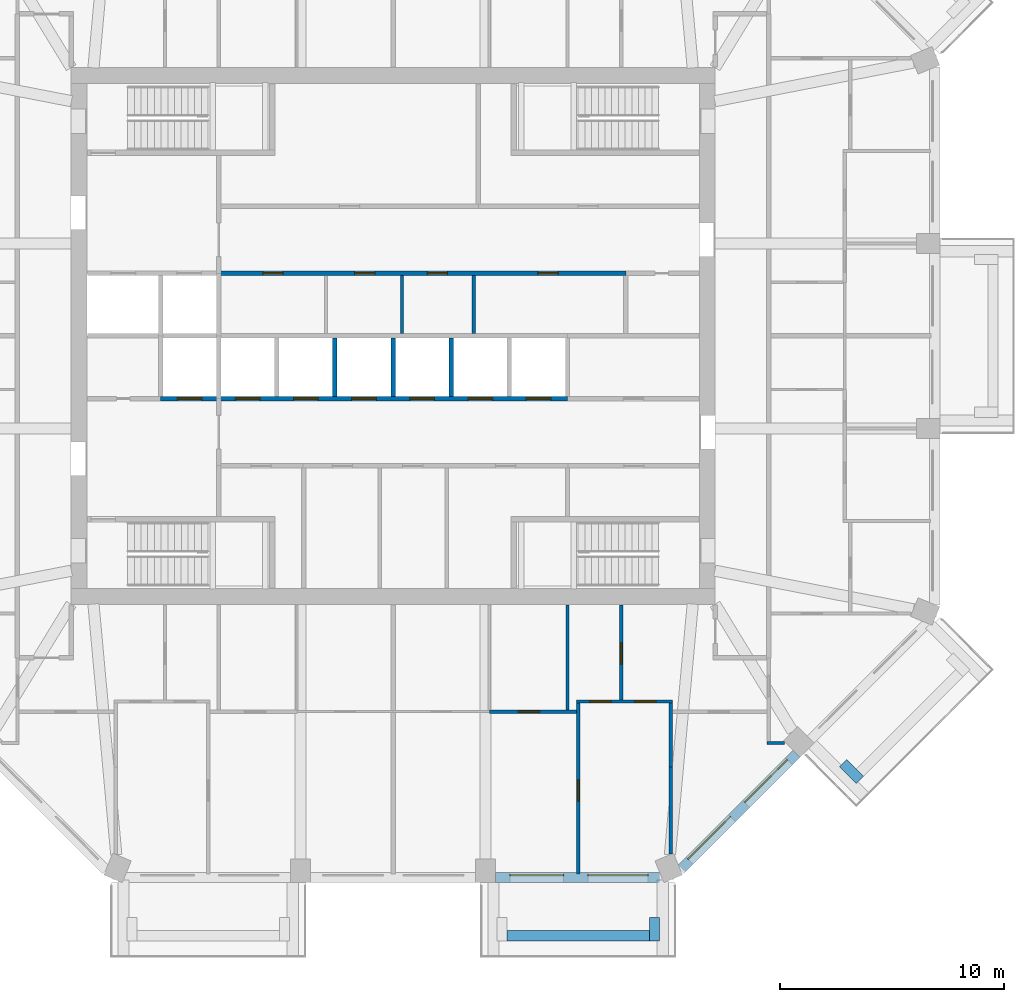
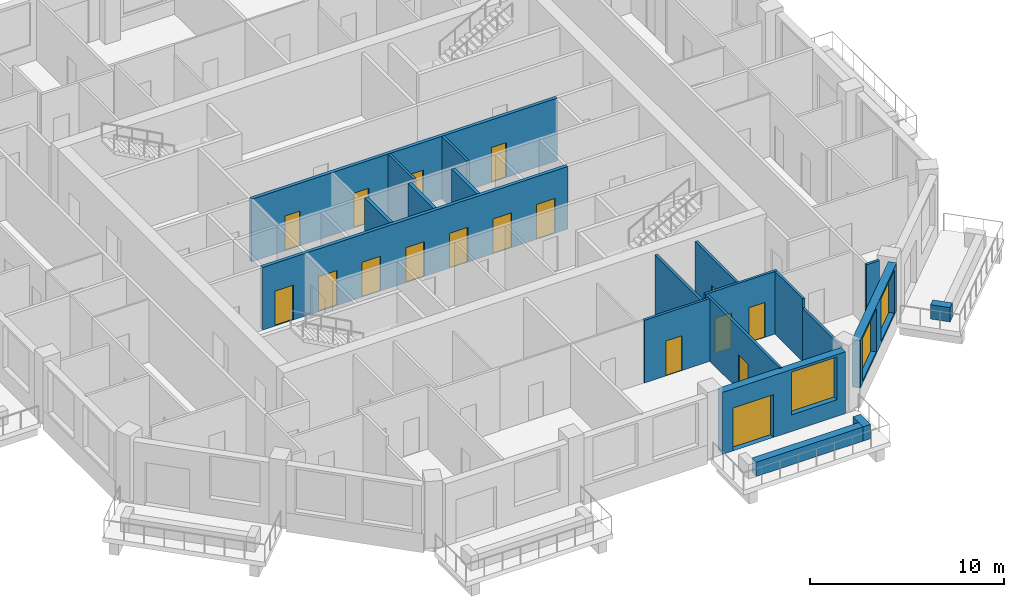
# One storey, part 5 of 12: 20 walls, 17 doors, 3 windows, 20 openings.
"""IFC4 building model written with IfcOpenShell, lengths in metres."""

from ifc_helpers import new_model, si_unit, direction, frame, frame_2d, origin, place, context, subcontext, project, spatial, rectangle, extrude, material, layer, layer_set, type_object, element, fill, save


model = new_model("IFC4")

# Units and contexts
model_context = context("Model", 3, precision=1e-05, world=origin(), true_north=direction((0.0, 1.0)))
body_context = subcontext(model_context, "Body", "Model", "MODEL_VIEW")
ifc_project = project(units=[si_unit("LENGTHUNIT", "METRE"), si_unit("AREAUNIT", "SQUARE_METRE"), si_unit("VOLUMEUNIT", "CUBIC_METRE"), si_unit("PLANEANGLEUNIT", "RADIAN"), si_unit("MASSUNIT", "GRAM", prefix="KILO")], contexts=[model_context])

# Site, building, storey
site_placement = place(None, origin())
site = spatial("IfcSite", under=ifc_project, at=site_placement, CompositionType="ELEMENT")
building_placement = place(site_placement, origin())
building = spatial("IfcBuilding", under=site, at=building_placement, Name="Msitu Wima Residences", CompositionType="ELEMENT")
storey_placement = place(building_placement, frame((0.0, 0.0, 174.89990234375)))
storey = spatial("IfcBuildingStorey", under=building, at=storey_placement, Name="L40", CompositionType="ELEMENT", Elevation=174.89990234375)

# Walls
ifc_material_1 = material(Name="Facing brick")
ifc_layer_1 = layer(ifc_material_1, 0.06494140625, Name="Facing brick")
ifc_material_2 = material(Name="Concrete C40/50", Category="concrete")
ifc_layer_2 = layer(ifc_material_2, 0.156005859375, Name="Concrete C40/50")
ifc_material_3 = material(Name="Waterproofing membrane")
ifc_layer_3 = layer(ifc_material_3, 0.00390625, Name="Waterproofing membrane")
ifc_material_4 = material(Name="Planting soil and planting")
ifc_layer_4 = layer(ifc_material_4, 0.22509765625, Name="Planting soil and planting")
ifc_layer_set_1 = layer_set([ifc_layer_1, ifc_layer_2, ifc_layer_3, ifc_layer_4], Name="Concrete C40/50")
wall_type_1 = type_object("IfcWallType", Name="Balcony planter PLANTER PL450", PredefinedType="USERDEFINED", material=ifc_layer_set_1)
wall_1_placement = place(storey_placement, frame((5.087158203125, -26.824951171875, 0.0), z_axis=(0.0, 0.0, 1.0), x_axis=(1.0, 0.0, 0.0)))
element("IfcWall", 1, at=wall_1_placement, inside=storey, type_object=wall_type_1, Name="Balcony planter S2 L40", ObjectType="PLANTER", PredefinedType="USERDEFINED", context=body_context, shape_type="SweptSolid", body=[
    extrude(rectangle(XDim=6.37451171875, YDim=0.449951171875, at=frame_2d((3.187255859375, 0.0))), origin(), (0.0, 0.0, 1.0), 0.900146484375),
])
for number, where, z_axis, x_axis, name in (
    (2, (11.686767578125, -26.0, 0.0), (0.0, 0.0, 1.0), (0.0, -1.0, 0.0), "Balcony planter S2 L40"),
    (3, (20.1328125, -19.107421875, 0.0), (0.0, 0.0, 1.0), (0.707106781187, -0.707106781187, 0.0), "Balcony planter SE1 L40"),
):
    element("IfcWall", number, at=place(storey_placement, frame(where, z_axis=z_axis, x_axis=x_axis)), inside=storey, type_object=wall_type_1, Name=name, ObjectType="PLANTER", PredefinedType="USERDEFINED", context=body_context, shape_type="SweptSolid", body=[
        extrude(rectangle(XDim=1.050048828125, YDim=0.449951171875, at=frame_2d((0.52490234375, 0.0))), origin(), (0.0, 0.0, 1.0), 0.900146484375),
    ])

# Wall, openings, door, window
ifc_material_5 = material(Name="Brick (red buff mix)", Category="masonry")
ifc_layer_5 = layer(ifc_material_5, 0.449951171875)
ifc_layer_set_2 = layer_set([ifc_layer_5], Name="Brick (red buff mix)")
wall_type_2 = type_object("IfcWallType", Name="Brick infill wall BW450", PredefinedType="SOLIDWALL", material=ifc_layer_set_2)
wall_2_placement = place(storey_placement, frame((4.587158203125, -24.22509765625, 0.0), z_axis=(0.0, 0.0, 1.0), x_axis=(1.0, 0.0, 0.0)))
wall_2 = element("IfcWall", 4, at=wall_2_placement, inside=storey, type_object=wall_type_2, Name="Brick infill wall L40 S2", PredefinedType="SOLIDWALL", context=body_context, shape_type="SweptSolid", body=[
    extrude(rectangle(XDim=7.337646484375, YDim=0.449951171875, at=frame_2d((3.6689453125, 0.0))), origin(), (0.0, 0.0, 1.0), 3.900146484375),
])
opening_1_placement = place(wall_2_placement, frame((0.63427734375, 0.0, 0.0)))
opening_1 = element("IfcOpeningElement", 5, at=opening_1_placement, cuts=wall_2, Name="Opening D40-42.007", PredefinedType="OPENING", context=body_context, shape_type="SweptSolid", body=[
    extrude(rectangle(XDim=2.39990234375, YDim=2.699951171875, at=frame_2d((1.199951171875, 1.35009765625))), frame((0.0, 0.23486328125, 0.0), z_axis=(0.0, -1.0, 0.0), x_axis=(1.0, 0.0, 0.0)), (0.0, 0.0, 1.0), 0.469970703125),
])
opening_2_placement = place(wall_2_placement, frame((4.11865234375, 0.0, 1.050048828125)))
opening_2 = element("IfcOpeningElement", 6, at=opening_2_placement, cuts=wall_2, Name="Opening W40-42.019", PredefinedType="OPENING", context=body_context, shape_type="SweptSolid", body=[
    extrude(rectangle(XDim=2.699951171875, YDim=2.699951171875, at=frame_2d((1.35009765625, 1.35009765625))), frame((0.0, 0.23486328125, 0.0), z_axis=(0.0, -1.0, 0.0), x_axis=(1.0, 0.0, 0.0)), (0.0, 0.0, 1.0), 0.469970703125),
])
ifc_material_6 = material(Name="Anodised aluminium, bronze finish, clear low-emissivity double glazing", Category="aluminium")
door_type_1 = type_object("IfcDoorType", Name="Balcony door D2400x2700", OperationType="SLIDING_TO_LEFT", PredefinedType="DOOR", material=ifc_material_6)
door_1_placement = place(opening_1_placement, origin())
door_1 = element("IfcDoor", 7, at=door_1_placement, inside=storey, type_object=door_type_1, Name="Balcony door L40 S2", OperationType="SINGLE_SWING_LEFT", OverallHeight=2.699951171875, OverallWidth=2.39990234375, PredefinedType="DOOR", context=body_context, shape_type="SweptSolid", body=[
    extrude(rectangle(XDim=2.39990234375, YDim=2.699951171875, at=frame_2d((1.199951171875, 1.35009765625))), frame((0.0, 0.1298828125, 0.0), z_axis=(0.0, -1.0, 0.0), x_axis=(1.0, 0.0, 0.0)), (0.0, 0.0, 1.0), 0.050048828125),
])
fill(opening_1, door_1)
window_type = type_object("IfcWindowType", Name="Window W2700x2700", PartitioningType="DOUBLE_PANEL_VERTICAL", PredefinedType="WINDOW", material=ifc_material_6)
window_1_placement = place(opening_2_placement, origin())
window_1 = element("IfcWindow", 8, at=window_1_placement, inside=storey, type_object=window_type, Name="Window L40 S2.2", OverallHeight=2.699951171875, OverallWidth=2.699951171875, PartitioningType="SINGLE_PANEL", PredefinedType="WINDOW", context=body_context, shape_type="SweptSolid", body=[
    extrude(rectangle(XDim=2.699951171875, YDim=2.699951171875, at=frame_2d((1.35009765625, 1.35009765625))), frame((0.0, 0.135009765625, 0.0), z_axis=(0.0, -1.0, 0.0), x_axis=(1.0, 0.0, 0.0)), (0.0, 0.0, 1.0), 0.06005859375),
])
fill(opening_2, window_1)

# Wall, openings, windows
wall_3_placement = place(storey_placement, frame((12.915283203125, -23.814697265625, 0.900146484375), z_axis=(0.0, 0.0, 1.0), x_axis=(0.707106781187, 0.707106781187, 0.0)))
wall_3 = element("IfcWall", 9, at=wall_3_placement, inside=storey, type_object=wall_type_2, Name="Brick infill wall L40 SE0", PredefinedType="SOLIDWALL", context=body_context, shape_type="SweptSolid", body=[
    extrude(rectangle(XDim=7.257080078125, YDim=0.449951171875, at=frame_2d((3.62841796875, 0.0))), origin(), (0.0, 0.0, 1.0), 3.0),
])
opening_3_placement = place(wall_3_placement, frame((0.478515625, 0.0, 0.14990234375)))
opening_3 = element("IfcOpeningElement", 10, at=opening_3_placement, cuts=wall_3, Name="Opening W40-42.020", PredefinedType="OPENING", context=body_context, shape_type="SweptSolid", body=[
    extrude(rectangle(XDim=2.699951171875, YDim=2.699951171875, at=frame_2d((1.35009765625, 1.35009765625))), frame((0.0, 0.23486328125, 0.0), z_axis=(0.0, -1.0, 0.0), x_axis=(1.0, 0.0, 0.0)), (0.0, 0.0, 1.0), 0.469970703125),
])
opening_4_placement = place(wall_3_placement, frame((4.07861328125, 0.0, 0.14990234375)))
opening_4 = element("IfcOpeningElement", 11, at=opening_4_placement, cuts=wall_3, Name="Opening W40-42.021", PredefinedType="OPENING", context=body_context, shape_type="SweptSolid", body=[
    extrude(rectangle(XDim=2.699951171875, YDim=2.699951171875, at=frame_2d((1.35009765625, 1.35009765625))), frame((0.0, 0.23486328125, 0.0), z_axis=(0.0, -1.0, 0.0), x_axis=(1.0, 0.0, 0.0)), (0.0, 0.0, 1.0), 0.469970703125),
])
window_2_placement = place(opening_3_placement, origin())
window_2 = element("IfcWindow", 12, at=window_2_placement, inside=storey, type_object=window_type, Name="Window L40 SE0.1", OverallHeight=2.699951171875, OverallWidth=2.699951171875, PartitioningType="SINGLE_PANEL", PredefinedType="WINDOW", context=body_context, shape_type="SweptSolid", body=[
    extrude(rectangle(XDim=2.699951171875, YDim=2.699951171875, at=frame_2d((1.35009765625, 1.35009765625))), frame((0.0, 0.135009765625, 0.0), z_axis=(0.0, -1.0, 0.0), x_axis=(1.0, 0.0, 0.0)), (0.0, 0.0, 1.0), 0.06005859375),
])
fill(opening_3, window_2)
window_3_placement = place(opening_4_placement, origin())
window_3 = element("IfcWindow", 13, at=window_3_placement, inside=storey, type_object=window_type, Name="Window L40 SE0.2", OverallHeight=2.699951171875, OverallWidth=2.699951171875, PartitioningType="SINGLE_PANEL", PredefinedType="WINDOW", context=body_context, shape_type="SweptSolid", body=[
    extrude(rectangle(XDim=2.699951171875, YDim=2.699951171875, at=frame_2d((1.35009765625, 1.35009765625))), frame((0.0, 0.135009765625, 0.0), z_axis=(0.0, -1.0, 0.0), x_axis=(1.0, 0.0, 0.0)), (0.0, 0.0, 1.0), 0.06005859375),
])
fill(opening_4, window_3)

# Wall, openings, doors
ifc_material_7 = material(Name="Plaster")
ifc_layer_6 = layer(ifc_material_7, 0.011962890625, Name="Plaster")
ifc_material_8 = material(Name="Concrete blockwork", Category="masonry")
ifc_layer_7 = layer(ifc_material_8, 0.176025390625, Name="Concrete blockwork")
ifc_layer_8 = layer(ifc_material_7, 0.011962890625, Name="Plaster")
ifc_layer_set_3 = layer_set([ifc_layer_6, ifc_layer_7, ifc_layer_8], Name="Concrete blockwork")
wall_type_3 = type_object("IfcWallType", Name="Corridor wall FW200", PredefinedType="PARTITIONING", material=ifc_layer_set_3)
wall_4_placement = place(storey_placement, frame((-7.820068359375, 2.800048828125, 0.0), z_axis=(0.0, 0.0, 1.0), x_axis=(1.0, 0.0, 0.0)))
wall_4 = element("IfcWall", 14, at=wall_4_placement, inside=storey, type_object=wall_type_3, Name="Corridor wall", PredefinedType="PARTITIONING", context=body_context, shape_type="SweptSolid", body=[
    extrude(rectangle(XDim=18.239990234375, YDim=0.199951171875, at=frame_2d((9.1201171875, 0.0))), origin(), (0.0, 0.0, 1.0), 3.9501953125),
])
opening_5_placement = place(wall_4_placement, frame((2.0, 0.0, 0.0)))
opening_5 = element("IfcOpeningElement", 15, at=opening_5_placement, cuts=wall_4, Name="Opening D40-42.081", PredefinedType="OPENING", context=body_context, shape_type="SweptSolid", body=[
    extrude(rectangle(XDim=0.89990234375, YDim=2.199951171875, at=frame_2d((0.449951171875, 1.10009765625))), frame((0.0, 0.10986328125, 0.0), z_axis=(0.0, -1.0, 0.0), x_axis=(1.0, 0.0, 0.0)), (0.0, 0.0, 1.0), 0.219970703125),
])
opening_6_placement = place(wall_4_placement, frame((6.10009765625, 0.0, 0.0)))
opening_6 = element("IfcOpeningElement", 16, at=opening_6_placement, cuts=wall_4, Name="Opening D40-42.082", PredefinedType="OPENING", context=body_context, shape_type="SweptSolid", body=[
    extrude(rectangle(XDim=0.89990234375, YDim=2.199951171875, at=frame_2d((0.449951171875, 1.10009765625))), frame((0.0, 0.10986328125, 0.0), z_axis=(0.0, -1.0, 0.0), x_axis=(1.0, 0.0, 0.0)), (0.0, 0.0, 1.0), 0.219970703125),
])
opening_7_placement = place(wall_4_placement, frame((9.35009765625, 0.0, 0.0)))
opening_7 = element("IfcOpeningElement", 17, at=opening_7_placement, cuts=wall_4, Name="Opening D40-42.083", PredefinedType="OPENING", context=body_context, shape_type="SweptSolid", body=[
    extrude(rectangle(XDim=0.89990234375, YDim=2.199951171875, at=frame_2d((0.449951171875, 1.10009765625))), frame((0.0, 0.10986328125, 0.0), z_axis=(0.0, -1.0, 0.0), x_axis=(1.0, 0.0, 0.0)), (0.0, 0.0, 1.0), 0.219970703125),
])
opening_8_placement = place(wall_4_placement, frame((14.300048828125, 0.0, 0.0)))
opening_8 = element("IfcOpeningElement", 18, at=opening_8_placement, cuts=wall_4, Name="Opening D40-42.084", PredefinedType="OPENING", context=body_context, shape_type="SweptSolid", body=[
    extrude(rectangle(XDim=0.89990234375, YDim=2.199951171875, at=frame_2d((0.449951171875, 1.10009765625))), frame((0.0, 0.10986328125, 0.0), z_axis=(0.0, -1.0, 0.0), x_axis=(1.0, 0.0, 0.0)), (0.0, 0.0, 1.0), 0.219970703125),
])
ifc_material_9 = material(Name="Timber flush door", Category="wood")
door_type_2 = type_object("IfcDoorType", Name="Service door D05 900x2200", OperationType="SINGLE_SWING_LEFT", PredefinedType="DOOR", material=ifc_material_9)
door_2_placement = place(opening_5_placement, origin())
door_2 = element("IfcDoor", 19, at=door_2_placement, inside=storey, type_object=door_type_2, Name="Service door", OperationType="SINGLE_SWING_LEFT", OverallHeight=2.199951171875, OverallWidth=0.89990234375, PredefinedType="DOOR", context=body_context, shape_type="SweptSolid", body=[
    extrude(rectangle(XDim=0.89990234375, YDim=2.199951171875, at=frame_2d((0.449951171875, 1.10009765625))), frame((0.0, 0.02490234375, 0.0), z_axis=(0.0, -1.0, 0.0), x_axis=(1.0, 0.0, 0.0)), (0.0, 0.0, 1.0), 0.050048828125),
])
fill(opening_5, door_2)
door_3_placement = place(opening_6_placement, origin())
door_3 = element("IfcDoor", 20, at=door_3_placement, inside=storey, type_object=door_type_2, Name="Service door", OperationType="SINGLE_SWING_LEFT", OverallHeight=2.199951171875, OverallWidth=0.89990234375, PredefinedType="DOOR", context=body_context, shape_type="SweptSolid", body=[
    extrude(rectangle(XDim=0.89990234375, YDim=2.199951171875, at=frame_2d((0.449951171875, 1.10009765625))), frame((0.0, 0.02490234375, 0.0), z_axis=(0.0, -1.0, 0.0), x_axis=(1.0, 0.0, 0.0)), (0.0, 0.0, 1.0), 0.050048828125),
])
fill(opening_6, door_3)
door_4_placement = place(opening_7_placement, origin())
door_4 = element("IfcDoor", 21, at=door_4_placement, inside=storey, type_object=door_type_2, Name="Service door", OperationType="SINGLE_SWING_RIGHT", OverallHeight=2.199951171875, OverallWidth=0.89990234375, PredefinedType="DOOR", context=body_context, shape_type="SweptSolid", body=[
    extrude(rectangle(XDim=0.89990234375, YDim=2.199951171875, at=frame_2d((0.449951171875, 1.10009765625))), frame((0.0, 0.02490234375, 0.0), z_axis=(0.0, -1.0, 0.0), x_axis=(1.0, 0.0, 0.0)), (0.0, 0.0, 1.0), 0.050048828125),
])
fill(opening_7, door_4)
door_5_placement = place(opening_8_placement, origin())
door_5 = element("IfcDoor", 22, at=door_5_placement, inside=storey, type_object=door_type_2, Name="Service door", OperationType="SINGLE_SWING_RIGHT", OverallHeight=2.199951171875, OverallWidth=0.89990234375, PredefinedType="DOOR", context=body_context, shape_type="SweptSolid", body=[
    extrude(rectangle(XDim=0.89990234375, YDim=2.199951171875, at=frame_2d((0.449951171875, 1.10009765625))), frame((0.0, 0.02490234375, 0.0), z_axis=(0.0, -1.0, 0.0), x_axis=(1.0, 0.0, 0.0)), (0.0, 0.0, 1.0), 0.050048828125),
])
fill(opening_8, door_5)

# Walls
ifc_layer_9 = layer(ifc_material_7, 0.011962890625, Name="Plaster")
ifc_layer_10 = layer(ifc_material_8, 0.1259765625, Name="Concrete blockwork")
ifc_layer_11 = layer(ifc_material_7, 0.011962890625, Name="Plaster")
ifc_layer_set_4 = layer_set([ifc_layer_9, ifc_layer_10, ifc_layer_11], Name="Concrete blockwork")
wall_type_4 = type_object("IfcWallType", Name="Partition PW150", PredefinedType="PARTITIONING", material=ifc_layer_set_4)
for number, where, z_axis, x_axis, name in (
    (23, (0.39990234375, 0.10009765625, 0.0), (0.0, 0.0, 1.0), (0.0, 1.0, 0.0), "Partition"),
    (24, (3.60009765625, 0.10009765625, 0.0), (0.0, 0.0, 1.0), (0.0, 1.0, 0.0), "Partition"),
):
    element("IfcWall", number, at=place(storey_placement, frame(where, z_axis=z_axis, x_axis=x_axis)), inside=storey, type_object=wall_type_4, Name=name, PredefinedType="PARTITIONING", context=body_context, shape_type="SweptSolid", body=[
        extrude(rectangle(XDim=2.599853515625, YDim=0.14990234375, at=frame_2d((1.2998046875, 0.0))), origin(), (0.0, 0.0, 1.0), 3.9501953125),
    ])

# Wall, opening, door
wall_5_placement = place(storey_placement, frame((4.300048828125, -16.800048828125, 0.0), z_axis=(0.0, 0.0, 1.0), x_axis=(1.0, 0.0, 0.0)))
wall_5 = element("IfcWall", 25, at=wall_5_placement, inside=storey, type_object=wall_type_4, Name="Partition", PredefinedType="PARTITIONING", context=body_context, shape_type="SweptSolid", body=[
    extrude(rectangle(XDim=3.8994140625, YDim=0.14990234375, at=frame_2d((1.94970703125, 0.0))), origin(), (0.0, 0.0, 1.0), 3.9501953125),
])
opening_9_placement = place(wall_5_placement, frame((1.300048828125, 0.0, 0.0)))
opening_9 = element("IfcOpeningElement", 26, at=opening_9_placement, cuts=wall_5, Name="Opening D40-42.056", PredefinedType="OPENING", context=body_context, shape_type="SweptSolid", body=[
    extrude(rectangle(XDim=0.949951171875, YDim=2.199951171875, at=frame_2d((0.47509765625, 1.10009765625))), frame((0.0, 0.0849609375, 0.0), z_axis=(0.0, -1.0, 0.0), x_axis=(1.0, 0.0, 0.0)), (0.0, 0.0, 1.0), 0.169921875),
])
door_type_3 = type_object("IfcDoorType", Name="Room door D12 950x2200", OperationType="SINGLE_SWING_LEFT", PredefinedType="DOOR", material=ifc_material_9)
door_6_placement = place(opening_9_placement, origin())
door_6 = element("IfcDoor", 27, at=door_6_placement, inside=storey, type_object=door_type_3, Name="Room door", OperationType="SINGLE_SWING_LEFT", OverallHeight=2.199951171875, OverallWidth=0.949951171875, PredefinedType="DOOR", context=body_context, shape_type="SweptSolid", body=[
    extrude(rectangle(XDim=0.949951171875, YDim=2.199951171875, at=frame_2d((0.47509765625, 1.10009765625))), frame((0.0, 0.02490234375, 0.0), z_axis=(0.0, -1.0, 0.0), x_axis=(1.0, 0.0, 0.0)), (0.0, 0.0, 1.0), 0.050048828125),
])
fill(opening_9, door_6)

# Wall
wall_6_placement = place(storey_placement, frame((7.800048828125, -16.72509765625, 0.0), z_axis=(0.0, 0.0, 1.0), x_axis=(0.0, 1.0, 0.0)))
element("IfcWall", 28, at=wall_6_placement, inside=storey, type_object=wall_type_4, Name="Partition", PredefinedType="PARTITIONING", context=body_context, shape_type="SweptSolid", body=[
    extrude(rectangle(XDim=4.695068359375, YDim=0.14990234375, at=frame_2d((2.34765625, 0.0))), origin(), (0.0, 0.0, 1.0), 3.9501953125),
])

# Wall, opening, door
wall_7_placement = place(storey_placement, frame((8.2744140625, -24.054931640625, 0.0), z_axis=(0.0, 0.0, 1.0), x_axis=(0.0, 1.0, 0.0)))
wall_7 = element("IfcWall", 29, at=wall_7_placement, inside=storey, type_object=wall_type_4, Name="Partition", PredefinedType="PARTITIONING", context=body_context, shape_type="SweptSolid", body=[
    extrude(rectangle(XDim=7.6298828125, YDim=0.14990234375, at=frame_2d((3.81494140625, 0.0))), origin(), (0.0, 0.0, 1.0), 3.9501953125),
])
opening_10_placement = place(wall_7_placement, frame((3.25, 0.0, 0.0)))
opening_10 = element("IfcOpeningElement", 30, at=opening_10_placement, cuts=wall_7, Name="Opening D40-42.062", PredefinedType="OPENING", context=body_context, shape_type="SweptSolid", body=[
    extrude(rectangle(XDim=0.949951171875, YDim=2.199951171875, at=frame_2d((0.47509765625, 1.10009765625))), frame((0.0, 0.0849609375, 0.0), z_axis=(0.0, -1.0, 0.0), x_axis=(1.0, 0.0, 0.0)), (0.0, 0.0, 1.0), 0.169921875),
])
door_7_placement = place(opening_10_placement, origin())
door_7 = element("IfcDoor", 31, at=door_7_placement, inside=storey, type_object=door_type_3, Name="Room door", OperationType="SINGLE_SWING_RIGHT", OverallHeight=2.199951171875, OverallWidth=0.949951171875, PredefinedType="DOOR", context=body_context, shape_type="SweptSolid", body=[
    extrude(rectangle(XDim=0.949951171875, YDim=2.199951171875, at=frame_2d((0.47509765625, 1.10009765625))), frame((0.0, 0.02490234375, 0.0), z_axis=(0.0, -1.0, 0.0), x_axis=(1.0, 0.0, 0.0)), (0.0, 0.0, 1.0), 0.050048828125),
])
fill(opening_10, door_7)

# Wall, openings, doors
wall_8_placement = place(storey_placement, frame((8.199462890625, -16.35009765625, 0.0), z_axis=(0.0, 0.0, 1.0), x_axis=(1.0, 0.0, 0.0)))
wall_8 = element("IfcWall", 32, at=wall_8_placement, inside=storey, type_object=wall_type_4, Name="Partition", PredefinedType="PARTITIONING", context=body_context, shape_type="SweptSolid", body=[
    extrude(rectangle(XDim=4.287353515625, YDim=0.14990234375, at=frame_2d((2.1435546875, 0.0))), origin(), (0.0, 0.0, 1.0), 3.9501953125),
])
opening_11_placement = place(wall_8_placement, frame((2.60009765625, 0.0, 0.0)))
opening_11 = element("IfcOpeningElement", 33, at=opening_11_placement, cuts=wall_8, Name="Opening D40-42.059", PredefinedType="OPENING", context=body_context, shape_type="SweptSolid", body=[
    extrude(rectangle(XDim=0.949951171875, YDim=2.199951171875, at=frame_2d((0.47509765625, 1.10009765625))), frame((0.0, 0.0849609375, 0.0), z_axis=(0.0, -1.0, 0.0), x_axis=(1.0, 0.0, 0.0)), (0.0, 0.0, 1.0), 0.169921875),
])
opening_12_placement = place(wall_8_placement, frame((0.60009765625, 0.0, 0.0)))
opening_12 = element("IfcOpeningElement", 34, at=opening_12_placement, cuts=wall_8, Name="Opening D40-42.058", PredefinedType="OPENING", context=body_context, shape_type="SweptSolid", body=[
    extrude(rectangle(XDim=0.949951171875, YDim=2.199951171875, at=frame_2d((0.47509765625, 1.10009765625))), frame((0.0, 0.0849609375, 0.0), z_axis=(0.0, -1.0, 0.0), x_axis=(1.0, 0.0, 0.0)), (0.0, 0.0, 1.0), 0.169921875),
])
door_8_placement = place(opening_11_placement, origin())
door_8 = element("IfcDoor", 35, at=door_8_placement, inside=storey, type_object=door_type_3, Name="Room door", OperationType="SINGLE_SWING_LEFT", OverallHeight=2.199951171875, OverallWidth=0.949951171875, PredefinedType="DOOR", context=body_context, shape_type="SweptSolid", body=[
    extrude(rectangle(XDim=0.949951171875, YDim=2.199951171875, at=frame_2d((0.47509765625, 1.10009765625))), frame((0.0, 0.02490234375, 0.0), z_axis=(0.0, -1.0, 0.0), x_axis=(1.0, 0.0, 0.0)), (0.0, 0.0, 1.0), 0.050048828125),
])
fill(opening_11, door_8)
door_9_placement = place(opening_12_placement, origin())
door_9 = element("IfcDoor", 36, at=door_9_placement, inside=storey, type_object=door_type_3, Name="Room door", OperationType="SINGLE_SWING_RIGHT", OverallHeight=2.199951171875, OverallWidth=0.949951171875, PredefinedType="DOOR", context=body_context, shape_type="SweptSolid", body=[
    extrude(rectangle(XDim=0.949951171875, YDim=2.199951171875, at=frame_2d((0.47509765625, 1.10009765625))), frame((0.0, 0.02490234375, 0.0), z_axis=(0.0, -1.0, 0.0), x_axis=(1.0, 0.0, 0.0)), (0.0, 0.0, 1.0), 0.050048828125),
])
fill(opening_12, door_9)

# Wall, opening, door
wall_9_placement = place(storey_placement, frame((10.199951171875, -16.27490234375, 0.0), z_axis=(0.0, 0.0, 1.0), x_axis=(0.0, 1.0, 0.0)))
wall_9 = element("IfcWall", 37, at=wall_9_placement, inside=storey, type_object=wall_type_4, Name="Partition", PredefinedType="PARTITIONING", context=body_context, shape_type="SweptSolid", body=[
    extrude(rectangle(XDim=4.244873046875, YDim=0.14990234375, at=frame_2d((2.12255859375, 0.0))), origin(), (0.0, 0.0, 1.0), 3.9501953125),
])
opening_13_placement = place(wall_9_placement, frame((1.60009765625, 0.0, 0.0)))
opening_13 = element("IfcOpeningElement", 38, at=opening_13_placement, cuts=wall_9, Name="Opening D40-42.054", PredefinedType="OPENING", context=body_context, shape_type="SweptSolid", body=[
    extrude(rectangle(XDim=0.949951171875, YDim=2.199951171875, at=frame_2d((0.47509765625, 1.10009765625))), frame((0.0, 0.0849609375, 0.0), z_axis=(0.0, -1.0, 0.0), x_axis=(1.0, 0.0, 0.0)), (0.0, 0.0, 1.0), 0.169921875),
])
door_10_placement = place(opening_13_placement, origin())
door_10 = element("IfcDoor", 39, at=door_10_placement, inside=storey, type_object=door_type_3, Name="Room door", OperationType="SINGLE_SWING_LEFT", OverallHeight=2.199951171875, OverallWidth=0.949951171875, PredefinedType="DOOR", context=body_context, shape_type="SweptSolid", body=[
    extrude(rectangle(XDim=0.949951171875, YDim=2.199951171875, at=frame_2d((0.47509765625, 1.10009765625))), frame((0.0, 0.02490234375, 0.0), z_axis=(0.0, -1.0, 0.0), x_axis=(1.0, 0.0, 0.0)), (0.0, 0.0, 1.0), 0.050048828125),
])
fill(opening_13, door_10)

# Walls
wall_10_placement = place(storey_placement, frame((12.411865234375, -23.1689453125, 0.0), z_axis=(0.0, 0.0, 1.0), x_axis=(0.0, 1.0, 0.0)))
element("IfcWall", 40, at=wall_10_placement, inside=storey, type_object=wall_type_4, Name="Partition", PredefinedType="PARTITIONING", context=body_context, shape_type="SweptSolid", body=[
    extrude(rectangle(XDim=3.8984375, YDim=0.14990234375, at=frame_2d((1.94921875, 0.0))), origin(), (0.0, 0.0, 1.0), 3.35009765625),
])
wall_11_placement = place(storey_placement, frame((12.411865234375, -19.2705078125, 0.0), z_axis=(0.0, 0.0, 1.0), x_axis=(0.0, 1.0, 0.0)))
element("IfcWall", 41, at=wall_11_placement, inside=storey, type_object=wall_type_4, Name="Partition", PredefinedType="PARTITIONING", context=body_context, shape_type="SweptSolid", body=[
    extrude(rectangle(XDim=2.845458984375, YDim=0.14990234375, at=frame_2d((1.4228515625, 0.0))), origin(), (0.0, 0.0, 1.0), 3.9501953125),
])
wall_12_placement = place(storey_placement, frame((16.72509765625, -18.205810546875, 0.0), z_axis=(0.0, 0.0, 1.0), x_axis=(1.0, 0.0, 0.0)))
element("IfcWall", 42, at=wall_12_placement, inside=storey, type_object=wall_type_4, Name="Partition", PredefinedType="PARTITIONING", context=body_context, shape_type="SweptSolid", body=[
    extrude(rectangle(XDim=0.784423828125, YDim=0.14990234375, at=frame_2d((0.39208984375, 0.0))), origin(), (0.0, 0.0, 1.0), 3.9501953125),
])

# Wall, openings, doors
ifc_material_10 = material(Name="Fire-rated board")
ifc_layer_12 = layer(ifc_material_10, 0.02490234375, Name="Fire-rated board")
ifc_material_11 = material(Name="Light-gauge stud framing with mineral wool")
ifc_layer_13 = layer(ifc_material_11, 0.14990234375, Name="Light-gauge stud framing with mineral wool")
ifc_layer_14 = layer(ifc_material_10, 0.02490234375, Name="Fire-rated board")
ifc_layer_set_5 = layer_set([ifc_layer_12, ifc_layer_13, ifc_layer_14], Name="Light-gauge stud framing with mineral wool")
wall_type_5 = type_object("IfcWallType", Name="Shaft wall SH200", PredefinedType="PARTITIONING", material=ifc_layer_set_5)
wall_13_placement = place(storey_placement, frame((-10.39990234375, -2.800048828125, 0.0), z_axis=(0.0, 0.0, 1.0), x_axis=(1.0, 0.0, 0.0)))
wall_13 = element("IfcWall", 43, at=wall_13_placement, inside=storey, type_object=wall_type_5, Name="Shaft wall", PredefinedType="PARTITIONING", context=body_context, shape_type="SweptSolid", body=[
    extrude(rectangle(XDim=18.199951171875, YDim=0.199951171875, at=frame_2d((9.10009765625, 0.0))), origin(), (0.0, 0.0, 1.0), 3.9501953125),
])
opening_14_placement = place(wall_13_placement, frame((0.75, 0.0, 0.0)))
opening_14 = element("IfcOpeningElement", 44, at=opening_14_placement, cuts=wall_13, Name="Opening LD", PredefinedType="OPENING", context=body_context, shape_type="SweptSolid", body=[
    extrude(rectangle(XDim=1.10009765625, YDim=2.199951171875, at=frame_2d((0.550048828125, 1.10009765625))), frame((0.0, 0.10986328125, 0.0), z_axis=(0.0, -1.0, 0.0), x_axis=(1.0, 0.0, 0.0)), (0.0, 0.0, 1.0), 0.219970703125),
])
opening_15_placement = place(wall_13_placement, frame((3.35009765625, 0.0, 0.0)))
opening_15 = element("IfcOpeningElement", 45, at=opening_15_placement, cuts=wall_13, Name="Opening LD", PredefinedType="OPENING", context=body_context, shape_type="SweptSolid", body=[
    extrude(rectangle(XDim=1.10009765625, YDim=2.199951171875, at=frame_2d((0.550048828125, 1.10009765625))), frame((0.0, 0.10986328125, 0.0), z_axis=(0.0, -1.0, 0.0), x_axis=(1.0, 0.0, 0.0)), (0.0, 0.0, 1.0), 0.219970703125),
])
opening_16_placement = place(wall_13_placement, frame((5.949951171875, 0.0, 0.0)))
opening_16 = element("IfcOpeningElement", 46, at=opening_16_placement, cuts=wall_13, Name="Opening LD", PredefinedType="OPENING", context=body_context, shape_type="SweptSolid", body=[
    extrude(rectangle(XDim=1.10009765625, YDim=2.199951171875, at=frame_2d((0.550048828125, 1.10009765625))), frame((0.0, 0.10986328125, 0.0), z_axis=(0.0, -1.0, 0.0), x_axis=(1.0, 0.0, 0.0)), (0.0, 0.0, 1.0), 0.219970703125),
])
opening_17_placement = place(wall_13_placement, frame((8.550048828125, 0.0, 0.0)))
opening_17 = element("IfcOpeningElement", 47, at=opening_17_placement, cuts=wall_13, Name="Opening LD", PredefinedType="OPENING", context=body_context, shape_type="SweptSolid", body=[
    extrude(rectangle(XDim=1.10009765625, YDim=2.199951171875, at=frame_2d((0.550048828125, 1.10009765625))), frame((0.0, 0.10986328125, 0.0), z_axis=(0.0, -1.0, 0.0), x_axis=(1.0, 0.0, 0.0)), (0.0, 0.0, 1.0), 0.219970703125),
])
opening_18_placement = place(wall_13_placement, frame((11.14990234375, 0.0, 0.0)))
opening_18 = element("IfcOpeningElement", 48, at=opening_18_placement, cuts=wall_13, Name="Opening LD", PredefinedType="OPENING", context=body_context, shape_type="SweptSolid", body=[
    extrude(rectangle(XDim=1.10009765625, YDim=2.199951171875, at=frame_2d((0.550048828125, 1.10009765625))), frame((0.0, 0.10986328125, 0.0), z_axis=(0.0, -1.0, 0.0), x_axis=(1.0, 0.0, 0.0)), (0.0, 0.0, 1.0), 0.219970703125),
])
opening_19_placement = place(wall_13_placement, frame((13.75, 0.0, 0.0)))
opening_19 = element("IfcOpeningElement", 49, at=opening_19_placement, cuts=wall_13, Name="Opening LD", PredefinedType="OPENING", context=body_context, shape_type="SweptSolid", body=[
    extrude(rectangle(XDim=1.10009765625, YDim=2.199951171875, at=frame_2d((0.550048828125, 1.10009765625))), frame((0.0, 0.10986328125, 0.0), z_axis=(0.0, -1.0, 0.0), x_axis=(1.0, 0.0, 0.0)), (0.0, 0.0, 1.0), 0.219970703125),
])
opening_20_placement = place(wall_13_placement, frame((16.35009765625, 0.0, 0.0)))
opening_20 = element("IfcOpeningElement", 50, at=opening_20_placement, cuts=wall_13, Name="Opening LD", PredefinedType="OPENING", context=body_context, shape_type="SweptSolid", body=[
    extrude(rectangle(XDim=1.10009765625, YDim=2.199951171875, at=frame_2d((0.550048828125, 1.10009765625))), frame((0.0, 0.10986328125, 0.0), z_axis=(0.0, -1.0, 0.0), x_axis=(1.0, 0.0, 0.0)), (0.0, 0.0, 1.0), 0.219970703125),
])
ifc_material_12 = material(Name="Stainless steel centre-opening landing door, rated", Category="steel")
door_type_4 = type_object("IfcDoorType", Name="Lift landing door LD 1100x2200", OperationType="DOUBLE_DOOR_SLIDING", PredefinedType="DOOR", material=ifc_material_12)
door_11_placement = place(opening_14_placement, origin())
door_11 = element("IfcDoor", 51, at=door_11_placement, inside=storey, type_object=door_type_4, Name="Lift landing door LD3", OperationType="DOUBLE_DOOR_SLIDING", OverallHeight=2.199951171875, OverallWidth=1.10009765625, PredefinedType="DOOR", context=body_context, shape_type="SweptSolid", body=[
    extrude(rectangle(XDim=1.10009765625, YDim=2.199951171875, at=frame_2d((0.550048828125, 1.10009765625))), frame((0.0, 0.02490234375, 0.0), z_axis=(0.0, -1.0, 0.0), x_axis=(1.0, 0.0, 0.0)), (0.0, 0.0, 1.0), 0.050048828125),
])
fill(opening_14, door_11)
door_12_placement = place(opening_15_placement, origin())
door_12 = element("IfcDoor", 52, at=door_12_placement, inside=storey, type_object=door_type_4, Name="Lift landing door LD5", OperationType="DOUBLE_DOOR_SLIDING", OverallHeight=2.199951171875, OverallWidth=1.10009765625, PredefinedType="DOOR", context=body_context, shape_type="SweptSolid", body=[
    extrude(rectangle(XDim=1.10009765625, YDim=2.199951171875, at=frame_2d((0.550048828125, 1.10009765625))), frame((0.0, 0.02490234375, 0.0), z_axis=(0.0, -1.0, 0.0), x_axis=(1.0, 0.0, 0.0)), (0.0, 0.0, 1.0), 0.050048828125),
])
fill(opening_15, door_12)
door_13_placement = place(opening_16_placement, origin())
door_13 = element("IfcDoor", 53, at=door_13_placement, inside=storey, type_object=door_type_4, Name="Lift landing door LD7", OperationType="DOUBLE_DOOR_SLIDING", OverallHeight=2.199951171875, OverallWidth=1.10009765625, PredefinedType="DOOR", context=body_context, shape_type="SweptSolid", body=[
    extrude(rectangle(XDim=1.10009765625, YDim=2.199951171875, at=frame_2d((0.550048828125, 1.10009765625))), frame((0.0, 0.02490234375, 0.0), z_axis=(0.0, -1.0, 0.0), x_axis=(1.0, 0.0, 0.0)), (0.0, 0.0, 1.0), 0.050048828125),
])
fill(opening_16, door_13)
door_14_placement = place(opening_17_placement, origin())
door_14 = element("IfcDoor", 54, at=door_14_placement, inside=storey, type_object=door_type_4, Name="Lift landing door LD9", OperationType="DOUBLE_DOOR_SLIDING", OverallHeight=2.199951171875, OverallWidth=1.10009765625, PredefinedType="DOOR", context=body_context, shape_type="SweptSolid", body=[
    extrude(rectangle(XDim=1.10009765625, YDim=2.199951171875, at=frame_2d((0.550048828125, 1.10009765625))), frame((0.0, 0.02490234375, 0.0), z_axis=(0.0, -1.0, 0.0), x_axis=(1.0, 0.0, 0.0)), (0.0, 0.0, 1.0), 0.050048828125),
])
fill(opening_17, door_14)
door_15_placement = place(opening_18_placement, origin())
door_15 = element("IfcDoor", 55, at=door_15_placement, inside=storey, type_object=door_type_4, Name="Lift landing door LD11", OperationType="DOUBLE_DOOR_SLIDING", OverallHeight=2.199951171875, OverallWidth=1.10009765625, PredefinedType="DOOR", context=body_context, shape_type="SweptSolid", body=[
    extrude(rectangle(XDim=1.10009765625, YDim=2.199951171875, at=frame_2d((0.550048828125, 1.10009765625))), frame((0.0, 0.02490234375, 0.0), z_axis=(0.0, -1.0, 0.0), x_axis=(1.0, 0.0, 0.0)), (0.0, 0.0, 1.0), 0.050048828125),
])
fill(opening_18, door_15)
door_16_placement = place(opening_19_placement, origin())
door_16 = element("IfcDoor", 56, at=door_16_placement, inside=storey, type_object=door_type_4, Name="Lift landing door LD13", OperationType="DOUBLE_DOOR_SLIDING", OverallHeight=2.199951171875, OverallWidth=1.10009765625, PredefinedType="DOOR", context=body_context, shape_type="SweptSolid", body=[
    extrude(rectangle(XDim=1.10009765625, YDim=2.199951171875, at=frame_2d((0.550048828125, 1.10009765625))), frame((0.0, 0.02490234375, 0.0), z_axis=(0.0, -1.0, 0.0), x_axis=(1.0, 0.0, 0.0)), (0.0, 0.0, 1.0), 0.050048828125),
])
fill(opening_19, door_16)
door_17_placement = place(opening_20_placement, origin())
door_17 = element("IfcDoor", 57, at=door_17_placement, inside=storey, type_object=door_type_4, Name="Lift landing door LD15", OperationType="DOUBLE_DOOR_SLIDING", OverallHeight=2.199951171875, OverallWidth=1.10009765625, PredefinedType="DOOR", context=body_context, shape_type="SweptSolid", body=[
    extrude(rectangle(XDim=1.10009765625, YDim=2.199951171875, at=frame_2d((0.550048828125, 1.10009765625))), frame((0.0, 0.02490234375, 0.0), z_axis=(0.0, -1.0, 0.0), x_axis=(1.0, 0.0, 0.0)), (0.0, 0.0, 1.0), 0.050048828125),
])
fill(opening_20, door_17)

# Walls
for number, where, z_axis, x_axis, name in (
    (58, (-2.60009765625, -2.699951171875, 0.0), (0.0, 0.0, 1.0), (0.0, 1.0, 0.0), "Shaft wall"),
    (59, (0.0, -2.699951171875, 0.0), (0.0, 0.0, 1.0), (0.0, 1.0, 0.0), "Shaft wall"),
    (60, (2.60009765625, -2.699951171875, 0.0), (0.0, 0.0, 1.0), (0.0, 1.0, 0.0), "Shaft wall"),
):
    element("IfcWall", number, at=place(storey_placement, frame(where, z_axis=z_axis, x_axis=x_axis)), inside=storey, type_object=wall_type_5, Name=name, PredefinedType="PARTITIONING", context=body_context, shape_type="SweptSolid", body=[
        extrude(rectangle(XDim=2.599853515625, YDim=0.199951171875, at=frame_2d((1.2998046875, 0.0))), origin(), (0.0, 0.0, 1.0), 3.9501953125),
    ])

save(model, "model.ifc")
